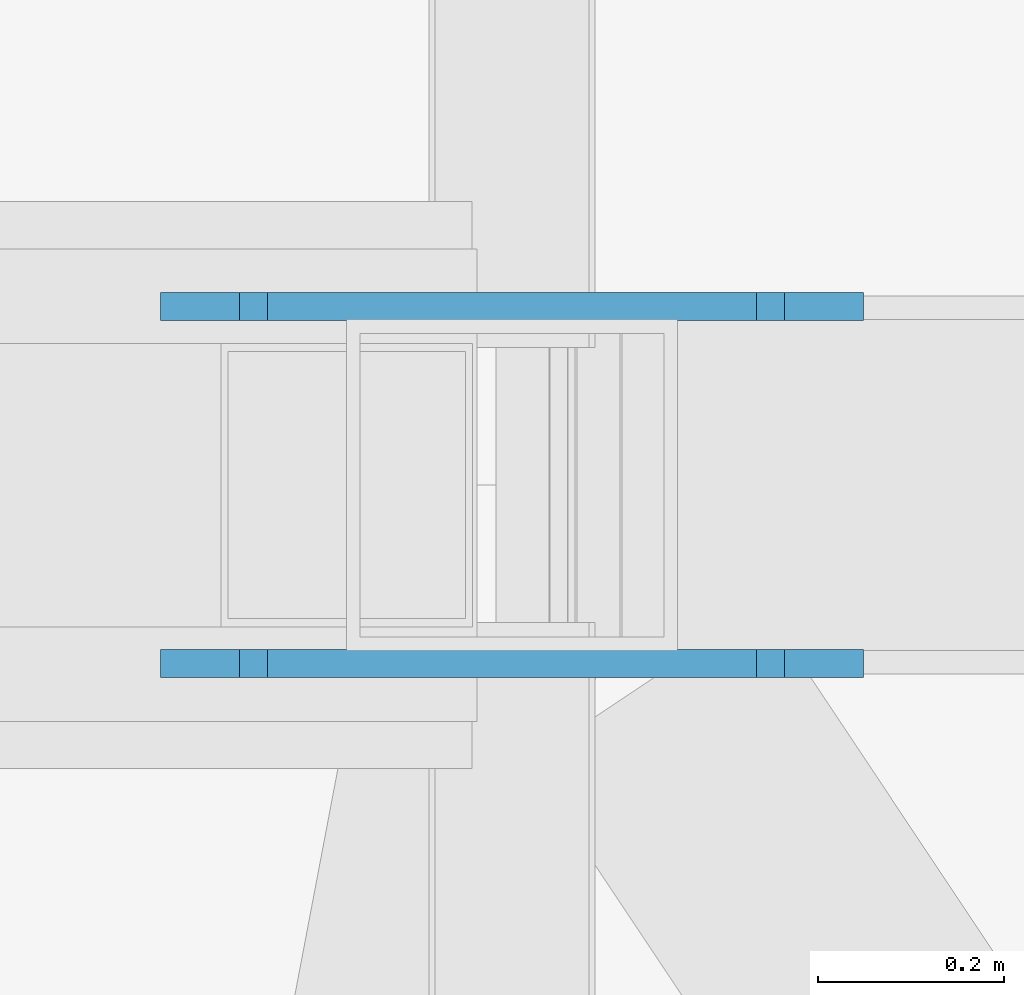
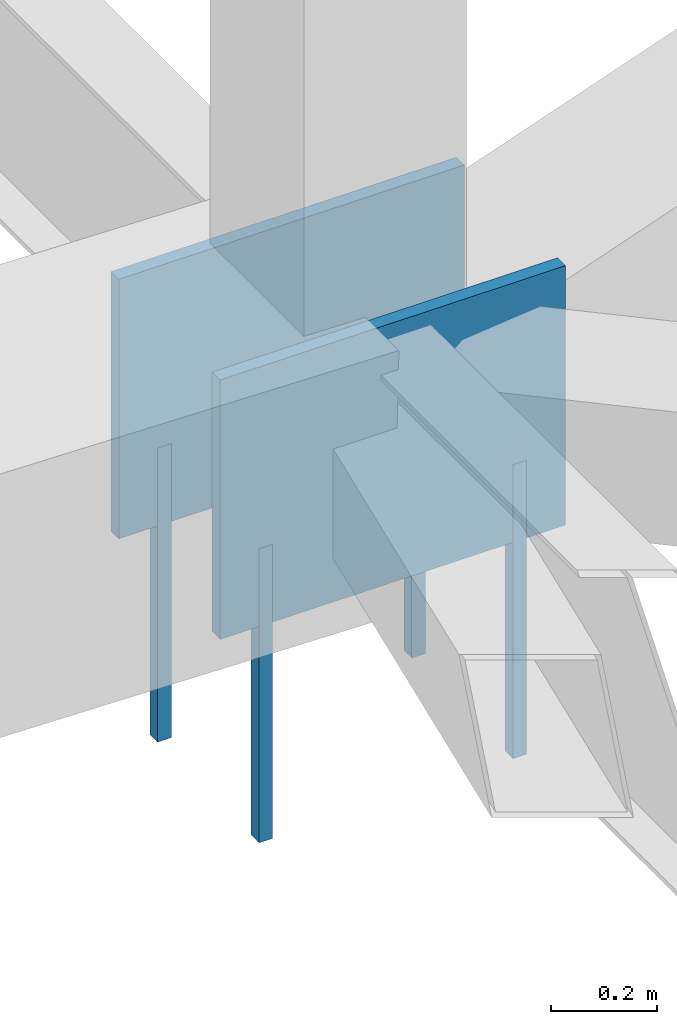
# One storey, part 250 of 278: 4 mechanical fasteners, 2 discrete accessories.
"""IFC4 building model written with IfcOpenShell, lengths in metres."""

from ifc_helpers import new_model, si_unit, direction, frame, origin, origin_2d, place, context, subcontext, project, spatial, rectangle, extrude, material, layer, layer_set, type_object, element, save


model = new_model("IFC4")

# Units and contexts
model_context = context("Model", 3, precision=1e-05, world=origin(), true_north=direction((0.0, 1.0)))
body_context = subcontext(model_context, "Body", "Model", "MODEL_VIEW")
ifc_project = project(units=[si_unit("LENGTHUNIT", "METRE"), si_unit("AREAUNIT", "SQUARE_METRE"), si_unit("VOLUMEUNIT", "CUBIC_METRE"), si_unit("PLANEANGLEUNIT", "RADIAN"), si_unit("MASSUNIT", "GRAM", prefix="KILO")], contexts=[model_context])

# Site, building, storey
site_placement = place(None, origin())
site = spatial("IfcSite", under=ifc_project, at=site_placement, CompositionType="ELEMENT")
building_placement = place(site_placement, origin())
building = spatial("IfcBuilding", under=site, at=building_placement, Name="Ogive Plaza Stadium", CompositionType="ELEMENT")
storey_placement = place(building_placement, frame((0.0, 0.0, 29.0)))
storey = spatial("IfcBuildingStorey", under=building, at=storey_placement, Name="Roof", CompositionType="ELEMENT", Elevation=29.0)

# Mechanical fasteners
ifc_material_1 = material(Name="Steel ASTM A992 Grade 50", Category="steel")
mechanical_fastener_type = type_object("IfcMechanicalFastenerType", Name="Anchor bolt M30 x 600", PredefinedType="ANCHORBOLT", material=ifc_material_1)
for number, where, z_axis, x_axis, name in (
    (1, (74.27783203125, 37.69189453125, -0.5), (0.0, 0.0, 1.0), (1.0, 0.0, 0.0), "ANCHOR BOLT 02 BP 1.1"),
    (2, (73.72216796875, 37.69189453125, -0.5), (0.0, 0.0, 1.0), (1.0, 0.0, 0.0), "ANCHOR BOLT 02 BP 1.2"),
    (3, (74.27783203125, 37.30810546875, -0.5), (0.0, 0.0, 1.0), (1.0, 0.0, 0.0), "ANCHOR BOLT 02 BP 2.1"),
    (4, (73.72216796875, 37.30810546875, -0.5), (0.0, 0.0, 1.0), (1.0, 0.0, 0.0), "ANCHOR BOLT 02 BP 2.2"),
):
    element("IfcMechanicalFastener", number, at=place(storey_placement, frame(where, z_axis=z_axis, x_axis=x_axis)), inside=storey, type_object=mechanical_fastener_type, Name=name, PredefinedType="ANCHORBOLT", context=body_context, shape_type="SweptSolid", body=[
        extrude(rectangle(XDim=0.030029296875, YDim=0.030029296875, at=origin_2d()), origin(), (0.0, 0.0, 1.0), 0.679931640625),
    ])

# Discrete accessories
ifc_material_2 = material(Name="Steel ASTM A992 Grade 50", Category="steel")
ifc_layer = layer(ifc_material_2, 0.030029296875)
ifc_layer_set = layer_set([ifc_layer], Name="Steel ASTM A992 Grade 50")
discrete_accessory_type = type_object("IfcDiscreteAccessoryType", Name="Truss root foot cleat plate 30", PredefinedType="ANCHORPLATE", material=ifc_layer_set)
for number, where, z_axis, x_axis, name in (
    (5, (74.0, 37.69189453125, 0.0), (0.0, 0.0, 1.0), (1.0, 0.0, 0.0), "TRUSS ROOT FOOT CLEAT PLATE 02 1"),
    (6, (74.0, 37.30810546875, 0.0), (0.0, 0.0, 1.0), (1.0, 0.0, 0.0), "TRUSS ROOT FOOT CLEAT PLATE 02 2"),
):
    element("IfcDiscreteAccessory", number, at=place(storey_placement, frame(where, z_axis=z_axis, x_axis=x_axis)), inside=storey, type_object=discrete_accessory_type, Name=name, PredefinedType="ANCHORPLATE", context=body_context, shape_type="SweptSolid", body=[
        extrude(rectangle(XDim=0.755615234375, YDim=0.030029296875, at=origin_2d()), origin(), (0.0, 0.0, 1.0), 0.60009765625),
    ])

save(model, "model.ifc")
